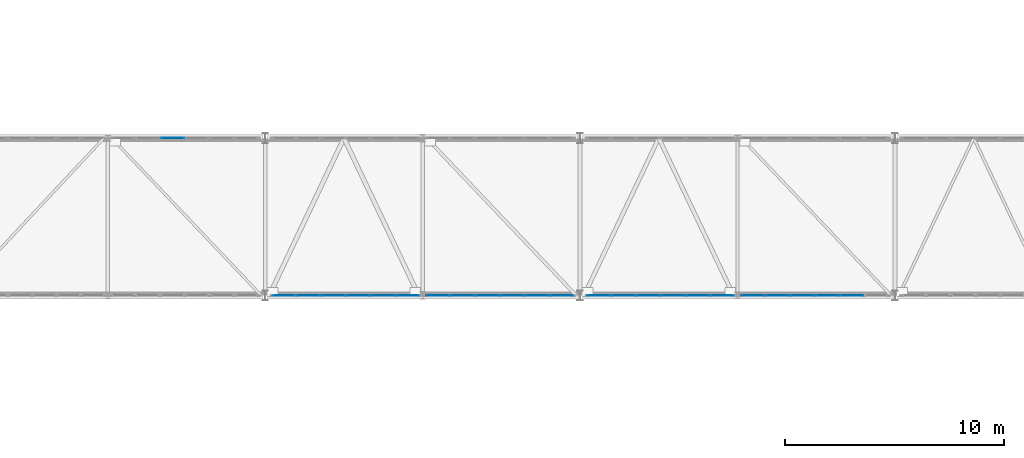
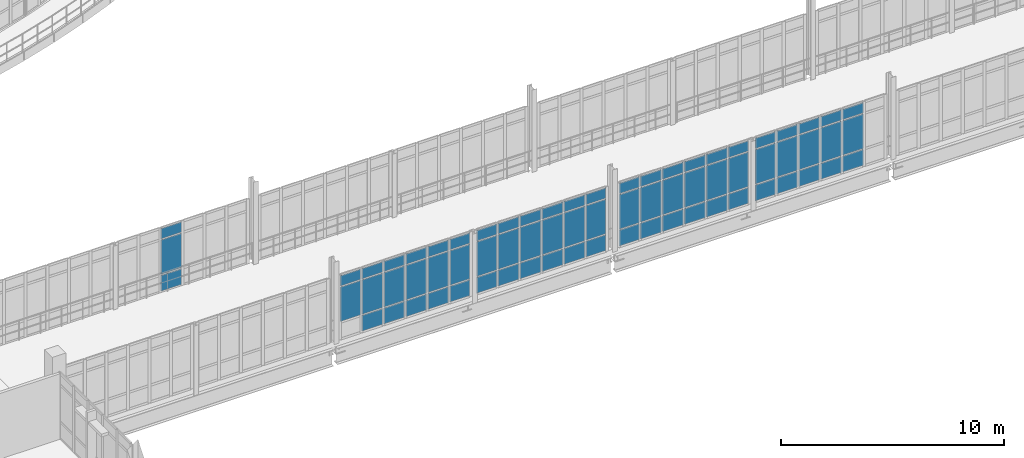
# One storey, part 89 of 124: 71 plates, 5 elements without a shape of their own.
"""IFC4 building model written with IfcOpenShell, lengths in metres."""

from ifc_helpers import new_model, si_unit, direction, frame, origin, origin_2d, place, context, subcontext, project, spatial, rectangle, extrude, material, layer, layer_set, type_object, element, aggregate, save


model = new_model("IFC4")

# Units and contexts
model_context = context("Model", 3, precision=1e-05, world=origin(), true_north=direction((0.0, 1.0)))
body_context = subcontext(model_context, "Body", "Model", "MODEL_VIEW")
ifc_project = project(units=[si_unit("LENGTHUNIT", "METRE"), si_unit("AREAUNIT", "SQUARE_METRE"), si_unit("VOLUMEUNIT", "CUBIC_METRE"), si_unit("PLANEANGLEUNIT", "RADIAN"), si_unit("MASSUNIT", "GRAM", prefix="KILO")], contexts=[model_context])

# Site, building, storey
site_placement = place(None, origin())
site = spatial("IfcSite", under=ifc_project, at=site_placement, CompositionType="ELEMENT")
building_placement = place(site_placement, origin())
building = spatial("IfcBuilding", under=site, at=building_placement, Name="Kalluvel Institute of Natural Sciences", CompositionType="ELEMENT")
storey_placement = place(building_placement, frame((0.0, 0.0, 9.89990234375)))
storey = spatial("IfcBuildingStorey", under=building, at=storey_placement, Name="L02", CompositionType="ELEMENT", Elevation=9.89990234375)

# Curtain wall, plates
ifc_material_1 = material(Name="Aluminium AW-6063 T6", Category="aluminium")
curtain_wall_type = type_object("IfcCurtainWallType", Name="CW-BRG-45", PredefinedType="USERDEFINED", material=ifc_material_1)
curtain_wall_1_placement = place(storey_placement, origin())
curtain_wall_1 = element("IfcCurtainWall", 1, at=curtain_wall_1_placement, inside=storey, type_object=curtain_wall_type, Name="L02 Gothic lancet curtain wall CWA-L02-X429-Y356", ObjectType="UNITISED LANCET FACADE", PredefinedType="USERDEFINED")
ifc_material_2 = material(Name="Solar-Control Low-E Laminated Glass", Category="glass")
ifc_layer = layer(ifc_material_2, 0.031982421875)
ifc_layer_set = layer_set([ifc_layer], Name="Solar-Control Low-E Laminated Glass")
plate_type = type_object("IfcPlateType", Name="CWP-DGU-32", PredefinedType="CURTAIN_PANEL", material=ifc_layer_set)
plate_1_placement = place(storey_placement, frame((45.74951171875, 35.60009765625, 0.06005859375), z_axis=(0.0, 0.0, 1.0), x_axis=(1.0, 0.0, 0.0)))
plate_1 = element("IfcPlate", 2, at=plate_1_placement, type_object=plate_type, Name="CW-07 panel 3.1", PredefinedType="CURTAIN_PANEL", context=body_context, shape_type="SweptSolid", body=[
    extrude(rectangle(XDim=1.075927734375, YDim=0.031982421875, at=origin_2d()), origin(), (0.0, 0.0, 1.0), 0.860107421875),
])
plate_2_placement = place(storey_placement, frame((45.74951171875, 35.60009765625, 0.980224609375), z_axis=(0.0, 0.0, 1.0), x_axis=(1.0, 0.0, 0.0)))
plate_2 = element("IfcPlate", 3, at=plate_2_placement, type_object=plate_type, Name="CW-07 panel 3.2", PredefinedType="CURTAIN_PANEL", context=body_context, shape_type="SweptSolid", body=[
    extrude(rectangle(XDim=1.075927734375, YDim=0.031982421875, at=origin_2d()), origin(), (0.0, 0.0, 1.0), 1.8798828125),
])
plate_3_placement = place(storey_placement, frame((45.74951171875, 35.60009765625, 2.920166015625), z_axis=(0.0, 0.0, 1.0), x_axis=(1.0, 0.0, 0.0)))
plate_3 = element("IfcPlate", 4, at=plate_3_placement, type_object=plate_type, Name="CW-07 panel 3.3", PredefinedType="CURTAIN_PANEL", context=body_context, shape_type="SweptSolid", body=[
    extrude(rectangle(XDim=1.075927734375, YDim=0.031982421875, at=origin_2d()), origin(), (0.0, 0.0, 1.0), 0.56005859375),
])
aggregate(curtain_wall_1, [plate_1, plate_2, plate_3])

curtain_wall_2_placement = place(storey_placement, origin())
curtain_wall_2 = element("IfcCurtainWall", 5, at=curtain_wall_2_placement, inside=storey, type_object=curtain_wall_type, Name="L02 Gothic lancet curtain wall CWA-L02-X503-Y284", ObjectType="UNITISED LANCET FACADE", PredefinedType="USERDEFINED")
plate_4_placement = place(storey_placement, frame((50.85791015625, 28.39990234375, 0.980224609375), z_axis=(0.0, 0.0, 1.0), x_axis=(1.0, 0.0, 0.0)))
plate_4 = element("IfcPlate", 6, at=plate_4_placement, type_object=plate_type, Name="CW-07 panel 1.2", PredefinedType="CURTAIN_PANEL", context=body_context, shape_type="SweptSolid", body=[
    extrude(rectangle(XDim=1.0458984375, YDim=0.031982421875, at=origin_2d()), origin(), (0.0, 0.0, 1.0), 1.8798828125),
])
plate_5_placement = place(storey_placement, frame((50.85791015625, 28.39990234375, 2.920166015625), z_axis=(0.0, 0.0, 1.0), x_axis=(1.0, 0.0, 0.0)))
plate_5 = element("IfcPlate", 7, at=plate_5_placement, type_object=plate_type, Name="CW-07 panel 1.3", PredefinedType="CURTAIN_PANEL", context=body_context, shape_type="SweptSolid", body=[
    extrude(rectangle(XDim=1.0458984375, YDim=0.031982421875, at=origin_2d()), origin(), (0.0, 0.0, 1.0), 0.56005859375),
])
plate_6_placement = place(storey_placement, frame((51.978759765625, 28.39990234375, 0.06005859375), z_axis=(0.0, 0.0, 1.0), x_axis=(1.0, 0.0, 0.0)))
plate_6 = element("IfcPlate", 8, at=plate_6_placement, type_object=plate_type, Name="CW-07 panel 2.1", PredefinedType="CURTAIN_PANEL", context=body_context, shape_type="SweptSolid", body=[
    extrude(rectangle(XDim=1.075927734375, YDim=0.031982421875, at=origin_2d()), origin(), (0.0, 0.0, 1.0), 0.860107421875),
])
plate_7_placement = place(storey_placement, frame((51.978759765625, 28.39990234375, 0.980224609375), z_axis=(0.0, 0.0, 1.0), x_axis=(1.0, 0.0, 0.0)))
plate_7 = element("IfcPlate", 9, at=plate_7_placement, type_object=plate_type, Name="CW-07 panel 2.2", PredefinedType="CURTAIN_PANEL", context=body_context, shape_type="SweptSolid", body=[
    extrude(rectangle(XDim=1.075927734375, YDim=0.031982421875, at=origin_2d()), origin(), (0.0, 0.0, 1.0), 1.8798828125),
])
plate_8_placement = place(storey_placement, frame((51.978759765625, 28.39990234375, 2.920166015625), z_axis=(0.0, 0.0, 1.0), x_axis=(1.0, 0.0, 0.0)))
plate_8 = element("IfcPlate", 10, at=plate_8_placement, type_object=plate_type, Name="CW-07 panel 2.3", PredefinedType="CURTAIN_PANEL", context=body_context, shape_type="SweptSolid", body=[
    extrude(rectangle(XDim=1.075927734375, YDim=0.031982421875, at=origin_2d()), origin(), (0.0, 0.0, 1.0), 0.56005859375),
])
plate_9_placement = place(storey_placement, frame((53.114501953125, 28.39990234375, 0.06005859375), z_axis=(0.0, 0.0, 1.0), x_axis=(1.0, 0.0, 0.0)))
plate_9 = element("IfcPlate", 11, at=plate_9_placement, type_object=plate_type, Name="CW-07 panel 3.1", PredefinedType="CURTAIN_PANEL", context=body_context, shape_type="SweptSolid", body=[
    extrude(rectangle(XDim=1.075927734375, YDim=0.031982421875, at=origin_2d()), origin(), (0.0, 0.0, 1.0), 0.860107421875),
])
plate_10_placement = place(storey_placement, frame((53.114501953125, 28.39990234375, 0.980224609375), z_axis=(0.0, 0.0, 1.0), x_axis=(1.0, 0.0, 0.0)))
plate_10 = element("IfcPlate", 12, at=plate_10_placement, type_object=plate_type, Name="CW-07 panel 3.2", PredefinedType="CURTAIN_PANEL", context=body_context, shape_type="SweptSolid", body=[
    extrude(rectangle(XDim=1.075927734375, YDim=0.031982421875, at=origin_2d()), origin(), (0.0, 0.0, 1.0), 1.8798828125),
])
plate_11_placement = place(storey_placement, frame((53.114501953125, 28.39990234375, 2.920166015625), z_axis=(0.0, 0.0, 1.0), x_axis=(1.0, 0.0, 0.0)))
plate_11 = element("IfcPlate", 13, at=plate_11_placement, type_object=plate_type, Name="CW-07 panel 3.3", PredefinedType="CURTAIN_PANEL", context=body_context, shape_type="SweptSolid", body=[
    extrude(rectangle(XDim=1.075927734375, YDim=0.031982421875, at=origin_2d()), origin(), (0.0, 0.0, 1.0), 0.56005859375),
])
plate_12_placement = place(storey_placement, frame((54.25048828125, 28.39990234375, 0.06005859375), z_axis=(0.0, 0.0, 1.0), x_axis=(1.0, 0.0, 0.0)))
plate_12 = element("IfcPlate", 14, at=plate_12_placement, type_object=plate_type, Name="CW-07 panel 4.1", PredefinedType="CURTAIN_PANEL", context=body_context, shape_type="SweptSolid", body=[
    extrude(rectangle(XDim=1.075927734375, YDim=0.031982421875, at=origin_2d()), origin(), (0.0, 0.0, 1.0), 0.860107421875),
])
plate_13_placement = place(storey_placement, frame((54.25048828125, 28.39990234375, 0.980224609375), z_axis=(0.0, 0.0, 1.0), x_axis=(1.0, 0.0, 0.0)))
plate_13 = element("IfcPlate", 15, at=plate_13_placement, type_object=plate_type, Name="CW-07 panel 4.2", PredefinedType="CURTAIN_PANEL", context=body_context, shape_type="SweptSolid", body=[
    extrude(rectangle(XDim=1.075927734375, YDim=0.031982421875, at=origin_2d()), origin(), (0.0, 0.0, 1.0), 1.8798828125),
])
plate_14_placement = place(storey_placement, frame((54.25048828125, 28.39990234375, 2.920166015625), z_axis=(0.0, 0.0, 1.0), x_axis=(1.0, 0.0, 0.0)))
plate_14 = element("IfcPlate", 16, at=plate_14_placement, type_object=plate_type, Name="CW-07 panel 4.3", PredefinedType="CURTAIN_PANEL", context=body_context, shape_type="SweptSolid", body=[
    extrude(rectangle(XDim=1.075927734375, YDim=0.031982421875, at=origin_2d()), origin(), (0.0, 0.0, 1.0), 0.56005859375),
])
plate_15_placement = place(storey_placement, frame((55.38623046875, 28.39990234375, 0.06005859375), z_axis=(0.0, 0.0, 1.0), x_axis=(1.0, 0.0, 0.0)))
plate_15 = element("IfcPlate", 17, at=plate_15_placement, type_object=plate_type, Name="CW-07 panel 5.1", PredefinedType="CURTAIN_PANEL", context=body_context, shape_type="SweptSolid", body=[
    extrude(rectangle(XDim=1.075927734375, YDim=0.031982421875, at=origin_2d()), origin(), (0.0, 0.0, 1.0), 0.860107421875),
])
plate_16_placement = place(storey_placement, frame((55.38623046875, 28.39990234375, 0.980224609375), z_axis=(0.0, 0.0, 1.0), x_axis=(1.0, 0.0, 0.0)))
plate_16 = element("IfcPlate", 18, at=plate_16_placement, type_object=plate_type, Name="CW-07 panel 5.2", PredefinedType="CURTAIN_PANEL", context=body_context, shape_type="SweptSolid", body=[
    extrude(rectangle(XDim=1.075927734375, YDim=0.031982421875, at=origin_2d()), origin(), (0.0, 0.0, 1.0), 1.8798828125),
])
plate_17_placement = place(storey_placement, frame((55.38623046875, 28.39990234375, 2.920166015625), z_axis=(0.0, 0.0, 1.0), x_axis=(1.0, 0.0, 0.0)))
plate_17 = element("IfcPlate", 19, at=plate_17_placement, type_object=plate_type, Name="CW-07 panel 5.3", PredefinedType="CURTAIN_PANEL", context=body_context, shape_type="SweptSolid", body=[
    extrude(rectangle(XDim=1.075927734375, YDim=0.031982421875, at=origin_2d()), origin(), (0.0, 0.0, 1.0), 0.56005859375),
])
plate_18_placement = place(storey_placement, frame((56.507080078125, 28.39990234375, 0.06005859375), z_axis=(0.0, 0.0, 1.0), x_axis=(1.0, 0.0, 0.0)))
plate_18 = element("IfcPlate", 20, at=plate_18_placement, type_object=plate_type, Name="CW-07 panel 6.1", PredefinedType="CURTAIN_PANEL", context=body_context, shape_type="SweptSolid", body=[
    extrude(rectangle(XDim=1.0458984375, YDim=0.031982421875, at=origin_2d()), origin(), (0.0, 0.0, 1.0), 0.860107421875),
])
plate_19_placement = place(storey_placement, frame((56.507080078125, 28.39990234375, 0.980224609375), z_axis=(0.0, 0.0, 1.0), x_axis=(1.0, 0.0, 0.0)))
plate_19 = element("IfcPlate", 21, at=plate_19_placement, type_object=plate_type, Name="CW-07 panel 6.2", PredefinedType="CURTAIN_PANEL", context=body_context, shape_type="SweptSolid", body=[
    extrude(rectangle(XDim=1.0458984375, YDim=0.031982421875, at=origin_2d()), origin(), (0.0, 0.0, 1.0), 1.8798828125),
])
plate_20_placement = place(storey_placement, frame((56.507080078125, 28.39990234375, 2.920166015625), z_axis=(0.0, 0.0, 1.0), x_axis=(1.0, 0.0, 0.0)))
plate_20 = element("IfcPlate", 22, at=plate_20_placement, type_object=plate_type, Name="CW-07 panel 6.3", PredefinedType="CURTAIN_PANEL", context=body_context, shape_type="SweptSolid", body=[
    extrude(rectangle(XDim=1.0458984375, YDim=0.031982421875, at=origin_2d()), origin(), (0.0, 0.0, 1.0), 0.56005859375),
])
aggregate(curtain_wall_2, [plate_4, plate_5, plate_6, plate_7, plate_8, plate_9, plate_10, plate_11, plate_12, plate_13, plate_14, plate_15, plate_16, plate_17, plate_18, plate_19, plate_20])

curtain_wall_3_placement = place(storey_placement, origin())
curtain_wall_3 = element("IfcCurtainWall", 23, at=curtain_wall_3_placement, inside=storey, type_object=curtain_wall_type, Name="L02 Gothic lancet curtain wall CWA-L02-X573-Y284", ObjectType="UNITISED LANCET FACADE", PredefinedType="USERDEFINED")
plate_21_placement = place(storey_placement, frame((57.892822265625, 28.39990234375, 0.06005859375), z_axis=(0.0, 0.0, 1.0), x_axis=(1.0, 0.0, 0.0)))
plate_21 = element("IfcPlate", 24, at=plate_21_placement, type_object=plate_type, Name="CW-07 panel 1.1", PredefinedType="CURTAIN_PANEL", context=body_context, shape_type="SweptSolid", body=[
    extrude(rectangle(XDim=1.0458984375, YDim=0.031982421875, at=origin_2d()), origin(), (0.0, 0.0, 1.0), 0.860107421875),
])
plate_22_placement = place(storey_placement, frame((57.892822265625, 28.39990234375, 0.980224609375), z_axis=(0.0, 0.0, 1.0), x_axis=(1.0, 0.0, 0.0)))
plate_22 = element("IfcPlate", 25, at=plate_22_placement, type_object=plate_type, Name="CW-07 panel 1.2", PredefinedType="CURTAIN_PANEL", context=body_context, shape_type="SweptSolid", body=[
    extrude(rectangle(XDim=1.0458984375, YDim=0.031982421875, at=origin_2d()), origin(), (0.0, 0.0, 1.0), 1.8798828125),
])
plate_23_placement = place(storey_placement, frame((57.892822265625, 28.39990234375, 2.920166015625), z_axis=(0.0, 0.0, 1.0), x_axis=(1.0, 0.0, 0.0)))
plate_23 = element("IfcPlate", 26, at=plate_23_placement, type_object=plate_type, Name="CW-07 panel 1.3", PredefinedType="CURTAIN_PANEL", context=body_context, shape_type="SweptSolid", body=[
    extrude(rectangle(XDim=1.0458984375, YDim=0.031982421875, at=origin_2d()), origin(), (0.0, 0.0, 1.0), 0.56005859375),
])
plate_24_placement = place(storey_placement, frame((59.013671875, 28.39990234375, 0.06005859375), z_axis=(0.0, 0.0, 1.0), x_axis=(1.0, 0.0, 0.0)))
plate_24 = element("IfcPlate", 27, at=plate_24_placement, type_object=plate_type, Name="CW-07 panel 2.1", PredefinedType="CURTAIN_PANEL", context=body_context, shape_type="SweptSolid", body=[
    extrude(rectangle(XDim=1.075927734375, YDim=0.031982421875, at=origin_2d()), origin(), (0.0, 0.0, 1.0), 0.860107421875),
])
plate_25_placement = place(storey_placement, frame((59.013671875, 28.39990234375, 0.980224609375), z_axis=(0.0, 0.0, 1.0), x_axis=(1.0, 0.0, 0.0)))
plate_25 = element("IfcPlate", 28, at=plate_25_placement, type_object=plate_type, Name="CW-07 panel 2.2", PredefinedType="CURTAIN_PANEL", context=body_context, shape_type="SweptSolid", body=[
    extrude(rectangle(XDim=1.075927734375, YDim=0.031982421875, at=origin_2d()), origin(), (0.0, 0.0, 1.0), 1.8798828125),
])
plate_26_placement = place(storey_placement, frame((59.013671875, 28.39990234375, 2.920166015625), z_axis=(0.0, 0.0, 1.0), x_axis=(1.0, 0.0, 0.0)))
plate_26 = element("IfcPlate", 29, at=plate_26_placement, type_object=plate_type, Name="CW-07 panel 2.3", PredefinedType="CURTAIN_PANEL", context=body_context, shape_type="SweptSolid", body=[
    extrude(rectangle(XDim=1.075927734375, YDim=0.031982421875, at=origin_2d()), origin(), (0.0, 0.0, 1.0), 0.56005859375),
])
plate_27_placement = place(storey_placement, frame((60.149658203125, 28.39990234375, 0.06005859375), z_axis=(0.0, 0.0, 1.0), x_axis=(1.0, 0.0, 0.0)))
plate_27 = element("IfcPlate", 30, at=plate_27_placement, type_object=plate_type, Name="CW-07 panel 3.1", PredefinedType="CURTAIN_PANEL", context=body_context, shape_type="SweptSolid", body=[
    extrude(rectangle(XDim=1.075927734375, YDim=0.031982421875, at=origin_2d()), origin(), (0.0, 0.0, 1.0), 0.860107421875),
])
plate_28_placement = place(storey_placement, frame((60.149658203125, 28.39990234375, 0.980224609375), z_axis=(0.0, 0.0, 1.0), x_axis=(1.0, 0.0, 0.0)))
plate_28 = element("IfcPlate", 31, at=plate_28_placement, type_object=plate_type, Name="CW-07 panel 3.2", PredefinedType="CURTAIN_PANEL", context=body_context, shape_type="SweptSolid", body=[
    extrude(rectangle(XDim=1.075927734375, YDim=0.031982421875, at=origin_2d()), origin(), (0.0, 0.0, 1.0), 1.8798828125),
])
plate_29_placement = place(storey_placement, frame((60.149658203125, 28.39990234375, 2.920166015625), z_axis=(0.0, 0.0, 1.0), x_axis=(1.0, 0.0, 0.0)))
plate_29 = element("IfcPlate", 32, at=plate_29_placement, type_object=plate_type, Name="CW-07 panel 3.3", PredefinedType="CURTAIN_PANEL", context=body_context, shape_type="SweptSolid", body=[
    extrude(rectangle(XDim=1.075927734375, YDim=0.031982421875, at=origin_2d()), origin(), (0.0, 0.0, 1.0), 0.56005859375),
])
plate_30_placement = place(storey_placement, frame((61.285400390625, 28.39990234375, 0.06005859375), z_axis=(0.0, 0.0, 1.0), x_axis=(1.0, 0.0, 0.0)))
plate_30 = element("IfcPlate", 33, at=plate_30_placement, type_object=plate_type, Name="CW-07 panel 4.1", PredefinedType="CURTAIN_PANEL", context=body_context, shape_type="SweptSolid", body=[
    extrude(rectangle(XDim=1.075927734375, YDim=0.031982421875, at=origin_2d()), origin(), (0.0, 0.0, 1.0), 0.860107421875),
])
plate_31_placement = place(storey_placement, frame((61.285400390625, 28.39990234375, 0.980224609375), z_axis=(0.0, 0.0, 1.0), x_axis=(1.0, 0.0, 0.0)))
plate_31 = element("IfcPlate", 34, at=plate_31_placement, type_object=plate_type, Name="CW-07 panel 4.2", PredefinedType="CURTAIN_PANEL", context=body_context, shape_type="SweptSolid", body=[
    extrude(rectangle(XDim=1.075927734375, YDim=0.031982421875, at=origin_2d()), origin(), (0.0, 0.0, 1.0), 1.8798828125),
])
plate_32_placement = place(storey_placement, frame((61.285400390625, 28.39990234375, 2.920166015625), z_axis=(0.0, 0.0, 1.0), x_axis=(1.0, 0.0, 0.0)))
plate_32 = element("IfcPlate", 35, at=plate_32_placement, type_object=plate_type, Name="CW-07 panel 4.3", PredefinedType="CURTAIN_PANEL", context=body_context, shape_type="SweptSolid", body=[
    extrude(rectangle(XDim=1.075927734375, YDim=0.031982421875, at=origin_2d()), origin(), (0.0, 0.0, 1.0), 0.56005859375),
])
plate_33_placement = place(storey_placement, frame((62.421142578125, 28.39990234375, 0.06005859375), z_axis=(0.0, 0.0, 1.0), x_axis=(1.0, 0.0, 0.0)))
plate_33 = element("IfcPlate", 36, at=plate_33_placement, type_object=plate_type, Name="CW-07 panel 5.1", PredefinedType="CURTAIN_PANEL", context=body_context, shape_type="SweptSolid", body=[
    extrude(rectangle(XDim=1.075927734375, YDim=0.031982421875, at=origin_2d()), origin(), (0.0, 0.0, 1.0), 0.860107421875),
])
plate_34_placement = place(storey_placement, frame((62.421142578125, 28.39990234375, 0.980224609375), z_axis=(0.0, 0.0, 1.0), x_axis=(1.0, 0.0, 0.0)))
plate_34 = element("IfcPlate", 37, at=plate_34_placement, type_object=plate_type, Name="CW-07 panel 5.2", PredefinedType="CURTAIN_PANEL", context=body_context, shape_type="SweptSolid", body=[
    extrude(rectangle(XDim=1.075927734375, YDim=0.031982421875, at=origin_2d()), origin(), (0.0, 0.0, 1.0), 1.8798828125),
])
plate_35_placement = place(storey_placement, frame((62.421142578125, 28.39990234375, 2.920166015625), z_axis=(0.0, 0.0, 1.0), x_axis=(1.0, 0.0, 0.0)))
plate_35 = element("IfcPlate", 38, at=plate_35_placement, type_object=plate_type, Name="CW-07 panel 5.3", PredefinedType="CURTAIN_PANEL", context=body_context, shape_type="SweptSolid", body=[
    extrude(rectangle(XDim=1.075927734375, YDim=0.031982421875, at=origin_2d()), origin(), (0.0, 0.0, 1.0), 0.56005859375),
])
plate_36_placement = place(storey_placement, frame((63.5419921875, 28.39990234375, 0.06005859375), z_axis=(0.0, 0.0, 1.0), x_axis=(1.0, 0.0, 0.0)))
plate_36 = element("IfcPlate", 39, at=plate_36_placement, type_object=plate_type, Name="CW-07 panel 6.1", PredefinedType="CURTAIN_PANEL", context=body_context, shape_type="SweptSolid", body=[
    extrude(rectangle(XDim=1.0458984375, YDim=0.031982421875, at=origin_2d()), origin(), (0.0, 0.0, 1.0), 0.860107421875),
])
plate_37_placement = place(storey_placement, frame((63.5419921875, 28.39990234375, 0.980224609375), z_axis=(0.0, 0.0, 1.0), x_axis=(1.0, 0.0, 0.0)))
plate_37 = element("IfcPlate", 40, at=plate_37_placement, type_object=plate_type, Name="CW-07 panel 6.2", PredefinedType="CURTAIN_PANEL", context=body_context, shape_type="SweptSolid", body=[
    extrude(rectangle(XDim=1.0458984375, YDim=0.031982421875, at=origin_2d()), origin(), (0.0, 0.0, 1.0), 1.8798828125),
])
plate_38_placement = place(storey_placement, frame((63.5419921875, 28.39990234375, 2.920166015625), z_axis=(0.0, 0.0, 1.0), x_axis=(1.0, 0.0, 0.0)))
plate_38 = element("IfcPlate", 41, at=plate_38_placement, type_object=plate_type, Name="CW-07 panel 6.3", PredefinedType="CURTAIN_PANEL", context=body_context, shape_type="SweptSolid", body=[
    extrude(rectangle(XDim=1.0458984375, YDim=0.031982421875, at=origin_2d()), origin(), (0.0, 0.0, 1.0), 0.56005859375),
])
aggregate(curtain_wall_3, [plate_21, plate_22, plate_23, plate_24, plate_25, plate_26, plate_27, plate_28, plate_29, plate_30, plate_31, plate_32, plate_33, plate_34, plate_35, plate_36, plate_37, plate_38])

curtain_wall_4_placement = place(storey_placement, origin())
curtain_wall_4 = element("IfcCurtainWall", 42, at=curtain_wall_4_placement, inside=storey, type_object=curtain_wall_type, Name="L02 Gothic lancet curtain wall CWA-L02-X647-Y284", ObjectType="UNITISED LANCET FACADE", PredefinedType="USERDEFINED")
plate_39_placement = place(storey_placement, frame((65.2578125, 28.39990234375, 0.06005859375), z_axis=(0.0, 0.0, 1.0), x_axis=(1.0, 0.0, 0.0)))
plate_39 = element("IfcPlate", 43, at=plate_39_placement, type_object=plate_type, Name="CW-07 panel 1.1", PredefinedType="CURTAIN_PANEL", context=body_context, shape_type="SweptSolid", body=[
    extrude(rectangle(XDim=1.0458984375, YDim=0.031982421875, at=origin_2d()), origin(), (0.0, 0.0, 1.0), 0.860107421875),
])
plate_40_placement = place(storey_placement, frame((65.2578125, 28.39990234375, 0.980224609375), z_axis=(0.0, 0.0, 1.0), x_axis=(1.0, 0.0, 0.0)))
plate_40 = element("IfcPlate", 44, at=plate_40_placement, type_object=plate_type, Name="CW-07 panel 1.2", PredefinedType="CURTAIN_PANEL", context=body_context, shape_type="SweptSolid", body=[
    extrude(rectangle(XDim=1.0458984375, YDim=0.031982421875, at=origin_2d()), origin(), (0.0, 0.0, 1.0), 1.8798828125),
])
plate_41_placement = place(storey_placement, frame((65.2578125, 28.39990234375, 2.920166015625), z_axis=(0.0, 0.0, 1.0), x_axis=(1.0, 0.0, 0.0)))
plate_41 = element("IfcPlate", 45, at=plate_41_placement, type_object=plate_type, Name="CW-07 panel 1.3", PredefinedType="CURTAIN_PANEL", context=body_context, shape_type="SweptSolid", body=[
    extrude(rectangle(XDim=1.0458984375, YDim=0.031982421875, at=origin_2d()), origin(), (0.0, 0.0, 1.0), 0.56005859375),
])
plate_42_placement = place(storey_placement, frame((66.378662109375, 28.39990234375, 0.06005859375), z_axis=(0.0, 0.0, 1.0), x_axis=(1.0, 0.0, 0.0)))
plate_42 = element("IfcPlate", 46, at=plate_42_placement, type_object=plate_type, Name="CW-07 panel 2.1", PredefinedType="CURTAIN_PANEL", context=body_context, shape_type="SweptSolid", body=[
    extrude(rectangle(XDim=1.075927734375, YDim=0.031982421875, at=origin_2d()), origin(), (0.0, 0.0, 1.0), 0.860107421875),
])
plate_43_placement = place(storey_placement, frame((66.378662109375, 28.39990234375, 0.980224609375), z_axis=(0.0, 0.0, 1.0), x_axis=(1.0, 0.0, 0.0)))
plate_43 = element("IfcPlate", 47, at=plate_43_placement, type_object=plate_type, Name="CW-07 panel 2.2", PredefinedType="CURTAIN_PANEL", context=body_context, shape_type="SweptSolid", body=[
    extrude(rectangle(XDim=1.075927734375, YDim=0.031982421875, at=origin_2d()), origin(), (0.0, 0.0, 1.0), 1.8798828125),
])
plate_44_placement = place(storey_placement, frame((66.378662109375, 28.39990234375, 2.920166015625), z_axis=(0.0, 0.0, 1.0), x_axis=(1.0, 0.0, 0.0)))
plate_44 = element("IfcPlate", 48, at=plate_44_placement, type_object=plate_type, Name="CW-07 panel 2.3", PredefinedType="CURTAIN_PANEL", context=body_context, shape_type="SweptSolid", body=[
    extrude(rectangle(XDim=1.075927734375, YDim=0.031982421875, at=origin_2d()), origin(), (0.0, 0.0, 1.0), 0.56005859375),
])
plate_45_placement = place(storey_placement, frame((67.5146484375, 28.39990234375, 0.06005859375), z_axis=(0.0, 0.0, 1.0), x_axis=(1.0, 0.0, 0.0)))
plate_45 = element("IfcPlate", 49, at=plate_45_placement, type_object=plate_type, Name="CW-07 panel 3.1", PredefinedType="CURTAIN_PANEL", context=body_context, shape_type="SweptSolid", body=[
    extrude(rectangle(XDim=1.075927734375, YDim=0.031982421875, at=origin_2d()), origin(), (0.0, 0.0, 1.0), 0.860107421875),
])
plate_46_placement = place(storey_placement, frame((67.5146484375, 28.39990234375, 0.980224609375), z_axis=(0.0, 0.0, 1.0), x_axis=(1.0, 0.0, 0.0)))
plate_46 = element("IfcPlate", 50, at=plate_46_placement, type_object=plate_type, Name="CW-07 panel 3.2", PredefinedType="CURTAIN_PANEL", context=body_context, shape_type="SweptSolid", body=[
    extrude(rectangle(XDim=1.075927734375, YDim=0.031982421875, at=origin_2d()), origin(), (0.0, 0.0, 1.0), 1.8798828125),
])
plate_47_placement = place(storey_placement, frame((67.5146484375, 28.39990234375, 2.920166015625), z_axis=(0.0, 0.0, 1.0), x_axis=(1.0, 0.0, 0.0)))
plate_47 = element("IfcPlate", 51, at=plate_47_placement, type_object=plate_type, Name="CW-07 panel 3.3", PredefinedType="CURTAIN_PANEL", context=body_context, shape_type="SweptSolid", body=[
    extrude(rectangle(XDim=1.075927734375, YDim=0.031982421875, at=origin_2d()), origin(), (0.0, 0.0, 1.0), 0.56005859375),
])
plate_48_placement = place(storey_placement, frame((68.650390625, 28.39990234375, 0.06005859375), z_axis=(0.0, 0.0, 1.0), x_axis=(1.0, 0.0, 0.0)))
plate_48 = element("IfcPlate", 52, at=plate_48_placement, type_object=plate_type, Name="CW-07 panel 4.1", PredefinedType="CURTAIN_PANEL", context=body_context, shape_type="SweptSolid", body=[
    extrude(rectangle(XDim=1.075927734375, YDim=0.031982421875, at=origin_2d()), origin(), (0.0, 0.0, 1.0), 0.860107421875),
])
plate_49_placement = place(storey_placement, frame((68.650390625, 28.39990234375, 0.980224609375), z_axis=(0.0, 0.0, 1.0), x_axis=(1.0, 0.0, 0.0)))
plate_49 = element("IfcPlate", 53, at=plate_49_placement, type_object=plate_type, Name="CW-07 panel 4.2", PredefinedType="CURTAIN_PANEL", context=body_context, shape_type="SweptSolid", body=[
    extrude(rectangle(XDim=1.075927734375, YDim=0.031982421875, at=origin_2d()), origin(), (0.0, 0.0, 1.0), 1.8798828125),
])
plate_50_placement = place(storey_placement, frame((68.650390625, 28.39990234375, 2.920166015625), z_axis=(0.0, 0.0, 1.0), x_axis=(1.0, 0.0, 0.0)))
plate_50 = element("IfcPlate", 54, at=plate_50_placement, type_object=plate_type, Name="CW-07 panel 4.3", PredefinedType="CURTAIN_PANEL", context=body_context, shape_type="SweptSolid", body=[
    extrude(rectangle(XDim=1.075927734375, YDim=0.031982421875, at=origin_2d()), origin(), (0.0, 0.0, 1.0), 0.56005859375),
])
plate_51_placement = place(storey_placement, frame((69.7861328125, 28.39990234375, 0.06005859375), z_axis=(0.0, 0.0, 1.0), x_axis=(1.0, 0.0, 0.0)))
plate_51 = element("IfcPlate", 55, at=plate_51_placement, type_object=plate_type, Name="CW-07 panel 5.1", PredefinedType="CURTAIN_PANEL", context=body_context, shape_type="SweptSolid", body=[
    extrude(rectangle(XDim=1.075927734375, YDim=0.031982421875, at=origin_2d()), origin(), (0.0, 0.0, 1.0), 0.860107421875),
])
plate_52_placement = place(storey_placement, frame((69.7861328125, 28.39990234375, 0.980224609375), z_axis=(0.0, 0.0, 1.0), x_axis=(1.0, 0.0, 0.0)))
plate_52 = element("IfcPlate", 56, at=plate_52_placement, type_object=plate_type, Name="CW-07 panel 5.2", PredefinedType="CURTAIN_PANEL", context=body_context, shape_type="SweptSolid", body=[
    extrude(rectangle(XDim=1.075927734375, YDim=0.031982421875, at=origin_2d()), origin(), (0.0, 0.0, 1.0), 1.8798828125),
])
plate_53_placement = place(storey_placement, frame((69.7861328125, 28.39990234375, 2.920166015625), z_axis=(0.0, 0.0, 1.0), x_axis=(1.0, 0.0, 0.0)))
plate_53 = element("IfcPlate", 57, at=plate_53_placement, type_object=plate_type, Name="CW-07 panel 5.3", PredefinedType="CURTAIN_PANEL", context=body_context, shape_type="SweptSolid", body=[
    extrude(rectangle(XDim=1.075927734375, YDim=0.031982421875, at=origin_2d()), origin(), (0.0, 0.0, 1.0), 0.56005859375),
])
plate_54_placement = place(storey_placement, frame((70.906982421875, 28.39990234375, 0.06005859375), z_axis=(0.0, 0.0, 1.0), x_axis=(1.0, 0.0, 0.0)))
plate_54 = element("IfcPlate", 58, at=plate_54_placement, type_object=plate_type, Name="CW-07 panel 6.1", PredefinedType="CURTAIN_PANEL", context=body_context, shape_type="SweptSolid", body=[
    extrude(rectangle(XDim=1.0458984375, YDim=0.031982421875, at=origin_2d()), origin(), (0.0, 0.0, 1.0), 0.860107421875),
])
plate_55_placement = place(storey_placement, frame((70.906982421875, 28.39990234375, 0.980224609375), z_axis=(0.0, 0.0, 1.0), x_axis=(1.0, 0.0, 0.0)))
plate_55 = element("IfcPlate", 59, at=plate_55_placement, type_object=plate_type, Name="CW-07 panel 6.2", PredefinedType="CURTAIN_PANEL", context=body_context, shape_type="SweptSolid", body=[
    extrude(rectangle(XDim=1.0458984375, YDim=0.031982421875, at=origin_2d()), origin(), (0.0, 0.0, 1.0), 1.8798828125),
])
plate_56_placement = place(storey_placement, frame((70.906982421875, 28.39990234375, 2.920166015625), z_axis=(0.0, 0.0, 1.0), x_axis=(1.0, 0.0, 0.0)))
plate_56 = element("IfcPlate", 60, at=plate_56_placement, type_object=plate_type, Name="CW-07 panel 6.3", PredefinedType="CURTAIN_PANEL", context=body_context, shape_type="SweptSolid", body=[
    extrude(rectangle(XDim=1.0458984375, YDim=0.031982421875, at=origin_2d()), origin(), (0.0, 0.0, 1.0), 0.56005859375),
])
aggregate(curtain_wall_4, [plate_39, plate_40, plate_41, plate_42, plate_43, plate_44, plate_45, plate_46, plate_47, plate_48, plate_49, plate_50, plate_51, plate_52, plate_53, plate_54, plate_55, plate_56])

curtain_wall_5_placement = place(storey_placement, origin())
curtain_wall_5 = element("IfcCurtainWall", 61, at=curtain_wall_5_placement, inside=storey, type_object=curtain_wall_type, Name="L02 Gothic lancet curtain wall CWA-L02-X717-Y284", ObjectType="UNITISED LANCET FACADE", PredefinedType="USERDEFINED")
plate_57_placement = place(storey_placement, frame((72.29296875, 28.39990234375, 0.06005859375), z_axis=(0.0, 0.0, 1.0), x_axis=(1.0, 0.0, 0.0)))
plate_57 = element("IfcPlate", 62, at=plate_57_placement, type_object=plate_type, Name="CW-07 panel 1.1", PredefinedType="CURTAIN_PANEL", context=body_context, shape_type="SweptSolid", body=[
    extrude(rectangle(XDim=1.0458984375, YDim=0.031982421875, at=origin_2d()), origin(), (0.0, 0.0, 1.0), 0.860107421875),
])
plate_58_placement = place(storey_placement, frame((72.29296875, 28.39990234375, 0.980224609375), z_axis=(0.0, 0.0, 1.0), x_axis=(1.0, 0.0, 0.0)))
plate_58 = element("IfcPlate", 63, at=plate_58_placement, type_object=plate_type, Name="CW-07 panel 1.2", PredefinedType="CURTAIN_PANEL", context=body_context, shape_type="SweptSolid", body=[
    extrude(rectangle(XDim=1.0458984375, YDim=0.031982421875, at=origin_2d()), origin(), (0.0, 0.0, 1.0), 1.8798828125),
])
plate_59_placement = place(storey_placement, frame((72.29296875, 28.39990234375, 2.920166015625), z_axis=(0.0, 0.0, 1.0), x_axis=(1.0, 0.0, 0.0)))
plate_59 = element("IfcPlate", 64, at=plate_59_placement, type_object=plate_type, Name="CW-07 panel 1.3", PredefinedType="CURTAIN_PANEL", context=body_context, shape_type="SweptSolid", body=[
    extrude(rectangle(XDim=1.0458984375, YDim=0.031982421875, at=origin_2d()), origin(), (0.0, 0.0, 1.0), 0.56005859375),
])
plate_60_placement = place(storey_placement, frame((73.413818359375, 28.39990234375, 0.06005859375), z_axis=(0.0, 0.0, 1.0), x_axis=(1.0, 0.0, 0.0)))
plate_60 = element("IfcPlate", 65, at=plate_60_placement, type_object=plate_type, Name="CW-07 panel 2.1", PredefinedType="CURTAIN_PANEL", context=body_context, shape_type="SweptSolid", body=[
    extrude(rectangle(XDim=1.075927734375, YDim=0.031982421875, at=origin_2d()), origin(), (0.0, 0.0, 1.0), 0.860107421875),
])
plate_61_placement = place(storey_placement, frame((73.413818359375, 28.39990234375, 0.980224609375), z_axis=(0.0, 0.0, 1.0), x_axis=(1.0, 0.0, 0.0)))
plate_61 = element("IfcPlate", 66, at=plate_61_placement, type_object=plate_type, Name="CW-07 panel 2.2", PredefinedType="CURTAIN_PANEL", context=body_context, shape_type="SweptSolid", body=[
    extrude(rectangle(XDim=1.075927734375, YDim=0.031982421875, at=origin_2d()), origin(), (0.0, 0.0, 1.0), 1.8798828125),
])
plate_62_placement = place(storey_placement, frame((73.413818359375, 28.39990234375, 2.920166015625), z_axis=(0.0, 0.0, 1.0), x_axis=(1.0, 0.0, 0.0)))
plate_62 = element("IfcPlate", 67, at=plate_62_placement, type_object=plate_type, Name="CW-07 panel 2.3", PredefinedType="CURTAIN_PANEL", context=body_context, shape_type="SweptSolid", body=[
    extrude(rectangle(XDim=1.075927734375, YDim=0.031982421875, at=origin_2d()), origin(), (0.0, 0.0, 1.0), 0.56005859375),
])
plate_63_placement = place(storey_placement, frame((74.549560546875, 28.39990234375, 0.06005859375), z_axis=(0.0, 0.0, 1.0), x_axis=(1.0, 0.0, 0.0)))
plate_63 = element("IfcPlate", 68, at=plate_63_placement, type_object=plate_type, Name="CW-07 panel 3.1", PredefinedType="CURTAIN_PANEL", context=body_context, shape_type="SweptSolid", body=[
    extrude(rectangle(XDim=1.075927734375, YDim=0.031982421875, at=origin_2d()), origin(), (0.0, 0.0, 1.0), 0.860107421875),
])
plate_64_placement = place(storey_placement, frame((74.549560546875, 28.39990234375, 0.980224609375), z_axis=(0.0, 0.0, 1.0), x_axis=(1.0, 0.0, 0.0)))
plate_64 = element("IfcPlate", 69, at=plate_64_placement, type_object=plate_type, Name="CW-07 panel 3.2", PredefinedType="CURTAIN_PANEL", context=body_context, shape_type="SweptSolid", body=[
    extrude(rectangle(XDim=1.075927734375, YDim=0.031982421875, at=origin_2d()), origin(), (0.0, 0.0, 1.0), 1.8798828125),
])
plate_65_placement = place(storey_placement, frame((74.549560546875, 28.39990234375, 2.920166015625), z_axis=(0.0, 0.0, 1.0), x_axis=(1.0, 0.0, 0.0)))
plate_65 = element("IfcPlate", 70, at=plate_65_placement, type_object=plate_type, Name="CW-07 panel 3.3", PredefinedType="CURTAIN_PANEL", context=body_context, shape_type="SweptSolid", body=[
    extrude(rectangle(XDim=1.075927734375, YDim=0.031982421875, at=origin_2d()), origin(), (0.0, 0.0, 1.0), 0.56005859375),
])
plate_66_placement = place(storey_placement, frame((75.685302734375, 28.39990234375, 0.06005859375), z_axis=(0.0, 0.0, 1.0), x_axis=(1.0, 0.0, 0.0)))
plate_66 = element("IfcPlate", 71, at=plate_66_placement, type_object=plate_type, Name="CW-07 panel 4.1", PredefinedType="CURTAIN_PANEL", context=body_context, shape_type="SweptSolid", body=[
    extrude(rectangle(XDim=1.075927734375, YDim=0.031982421875, at=origin_2d()), origin(), (0.0, 0.0, 1.0), 0.860107421875),
])
plate_67_placement = place(storey_placement, frame((75.685302734375, 28.39990234375, 0.980224609375), z_axis=(0.0, 0.0, 1.0), x_axis=(1.0, 0.0, 0.0)))
plate_67 = element("IfcPlate", 72, at=plate_67_placement, type_object=plate_type, Name="CW-07 panel 4.2", PredefinedType="CURTAIN_PANEL", context=body_context, shape_type="SweptSolid", body=[
    extrude(rectangle(XDim=1.075927734375, YDim=0.031982421875, at=origin_2d()), origin(), (0.0, 0.0, 1.0), 1.8798828125),
])
plate_68_placement = place(storey_placement, frame((75.685302734375, 28.39990234375, 2.920166015625), z_axis=(0.0, 0.0, 1.0), x_axis=(1.0, 0.0, 0.0)))
plate_68 = element("IfcPlate", 73, at=plate_68_placement, type_object=plate_type, Name="CW-07 panel 4.3", PredefinedType="CURTAIN_PANEL", context=body_context, shape_type="SweptSolid", body=[
    extrude(rectangle(XDim=1.075927734375, YDim=0.031982421875, at=origin_2d()), origin(), (0.0, 0.0, 1.0), 0.56005859375),
])
plate_69_placement = place(storey_placement, frame((76.8212890625, 28.39990234375, 0.06005859375), z_axis=(0.0, 0.0, 1.0), x_axis=(1.0, 0.0, 0.0)))
plate_69 = element("IfcPlate", 74, at=plate_69_placement, type_object=plate_type, Name="CW-07 panel 5.1", PredefinedType="CURTAIN_PANEL", context=body_context, shape_type="SweptSolid", body=[
    extrude(rectangle(XDim=1.075927734375, YDim=0.031982421875, at=origin_2d()), origin(), (0.0, 0.0, 1.0), 0.860107421875),
])
plate_70_placement = place(storey_placement, frame((76.8212890625, 28.39990234375, 0.980224609375), z_axis=(0.0, 0.0, 1.0), x_axis=(1.0, 0.0, 0.0)))
plate_70 = element("IfcPlate", 75, at=plate_70_placement, type_object=plate_type, Name="CW-07 panel 5.2", PredefinedType="CURTAIN_PANEL", context=body_context, shape_type="SweptSolid", body=[
    extrude(rectangle(XDim=1.075927734375, YDim=0.031982421875, at=origin_2d()), origin(), (0.0, 0.0, 1.0), 1.8798828125),
])
plate_71_placement = place(storey_placement, frame((76.8212890625, 28.39990234375, 2.920166015625), z_axis=(0.0, 0.0, 1.0), x_axis=(1.0, 0.0, 0.0)))
plate_71 = element("IfcPlate", 76, at=plate_71_placement, type_object=plate_type, Name="CW-07 panel 5.3", PredefinedType="CURTAIN_PANEL", context=body_context, shape_type="SweptSolid", body=[
    extrude(rectangle(XDim=1.075927734375, YDim=0.031982421875, at=origin_2d()), origin(), (0.0, 0.0, 1.0), 0.56005859375),
])
aggregate(curtain_wall_5, [plate_57, plate_58, plate_59, plate_60, plate_61, plate_62, plate_63, plate_64, plate_65, plate_66, plate_67, plate_68, plate_69, plate_70, plate_71])

save(model, "model.ifc")
